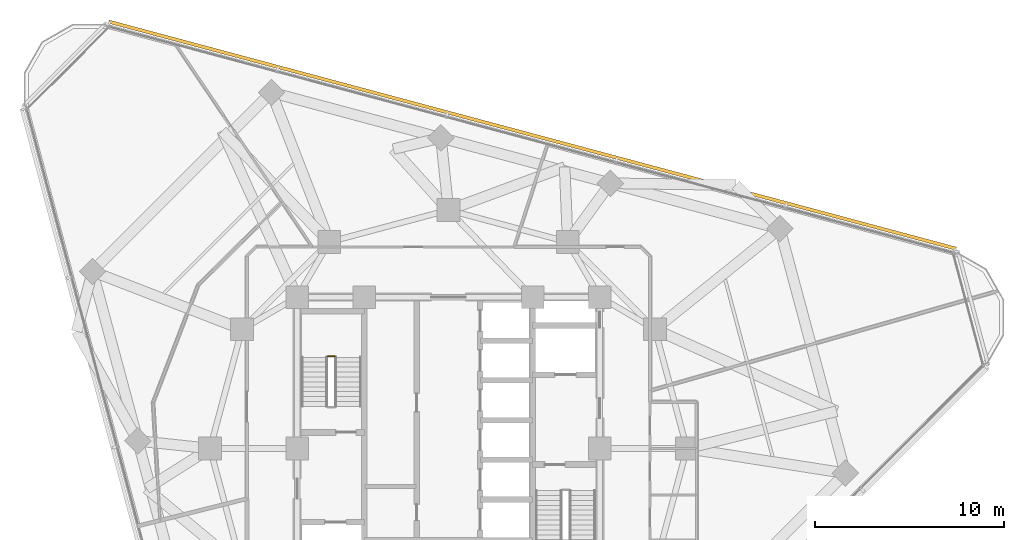
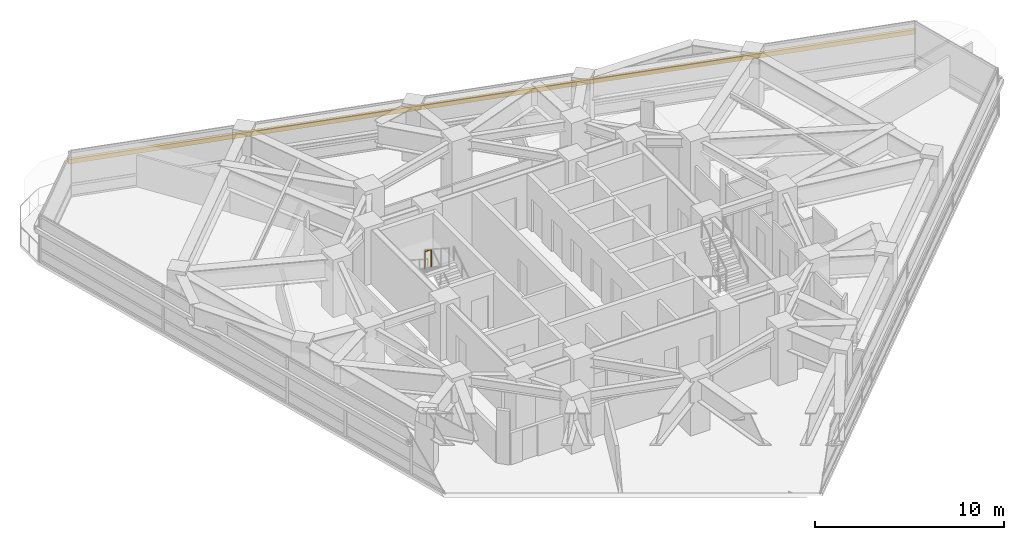
# One storey, part 14 of 15: 1 railing, 1 shading device.
"""IFC4 building model written with IfcOpenShell, lengths in metres."""

from ifc_helpers import new_model, si_unit, direction, frame, origin, origin_2d, place, context, subcontext, project, spatial, rectangle, circle, extrude, material, layer, layer_set, type_object, element, save


model = new_model("IFC4")

# Units and contexts
model_context = context("Model", 3, precision=1e-05, world=origin(), true_north=direction((0.0, 1.0)))
body_context = subcontext(model_context, "Body", "Model", "MODEL_VIEW")
ifc_project = project(units=[si_unit("LENGTHUNIT", "METRE"), si_unit("AREAUNIT", "SQUARE_METRE"), si_unit("VOLUMEUNIT", "CUBIC_METRE"), si_unit("PLANEANGLEUNIT", "RADIAN"), si_unit("MASSUNIT", "GRAM", prefix="KILO")], contexts=[model_context])

# Site, building, storey
site_placement = place(None, origin())
site = spatial("IfcSite", under=ifc_project, at=site_placement, CompositionType="ELEMENT")
building_placement = place(site_placement, origin())
building = spatial("IfcBuilding", under=site, at=building_placement, Name="Terralouvre Media Tower", CompositionType="ELEMENT")
storey_placement = place(building_placement, frame((0.0, 0.0, 210.10009765625)))
storey = spatial("IfcBuildingStorey", under=building, at=storey_placement, Name="L54", CompositionType="ELEMENT", Elevation=210.10009765625)

# Railing
ifc_material_1 = material(Name="Stainless steel 316 handrail and balustrade", Category="steel")
ifc_layer = layer(ifc_material_1, 0.050048828125, Name="Stairwell Safety Guardrail GR-INT1")
ifc_layer_set = layer_set([ifc_layer], Name="Stainless steel 316 handrail and balustrade")
railing_type = type_object("IfcRailingType", Name="Stairwell Safety Guardrail GR-INT1", PredefinedType="GUARDRAIL", material=ifc_layer_set)
railing_placement = place(storey_placement, frame((-6.0, 4.8701171875, 1.849853515625)))
element("IfcRailing", 1, at=railing_placement, inside=storey, type_object=railing_type, Name="L54 ST-01 stair guard 2", PredefinedType="GUARDRAIL", context=body_context, shape_type="SweptSolid", body=[
    extrude(circle(Radius=0.02392578125, at=origin_2d()), frame((0.0, 0.0, 1.1259765625), z_axis=(-1.0, 0.0, 0.0), x_axis=(0.0, -1.0, 0.0)), (0.0, 0.0, 1.0), 0.3798828125),
    extrude(circle(Radius=0.02099609375, at=origin_2d()), origin(), (0.0, 0.0, 1.0), 1.101806640625),
    extrude(circle(Radius=0.02099609375, at=origin_2d()), frame((-0.3798828125, 0.0, 0.0)), (0.0, 0.0, 1.0), 1.101806640625),
])

# Shading device
ifc_material_2 = material(Name="Extruded terracotta baguette sunshade louvres", Category="masonry")
shading_device_type = type_object("IfcShadingDeviceType", Name="Terracotta Baguette Sunshade Louvre Screen TB-LV1", PredefinedType="USERDEFINED", material=ifc_material_2)
shading_device_placement = place(storey_placement, frame((4.43701171875, 16.558837890625, 1.9990234375), z_axis=(0.0, 0.0, 1.0), x_axis=(-0.96592582942, 0.25881903342, 0.0)))
element("IfcShadingDevice", 2, at=shading_device_placement, inside=storey, type_object=shading_device_type, Name="CW-L54-F1 Terracotta Baguette Sunshade Louvre", ObjectType="BAGUETTE", PredefinedType="USERDEFINED", context=body_context, shape_type="SweptSolid", body=[
    extrude(rectangle(XDim=46.360107421875, YDim=0.179931640625, at=origin_2d()), origin(), (0.0, 0.0, 1.0), 0.280029296875),
])

save(model, "model.ifc")
